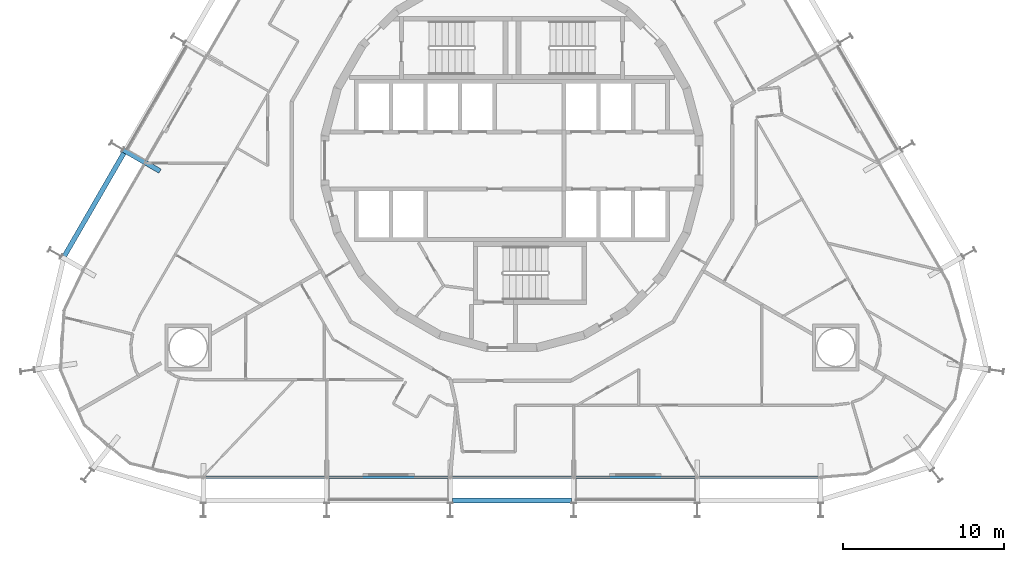
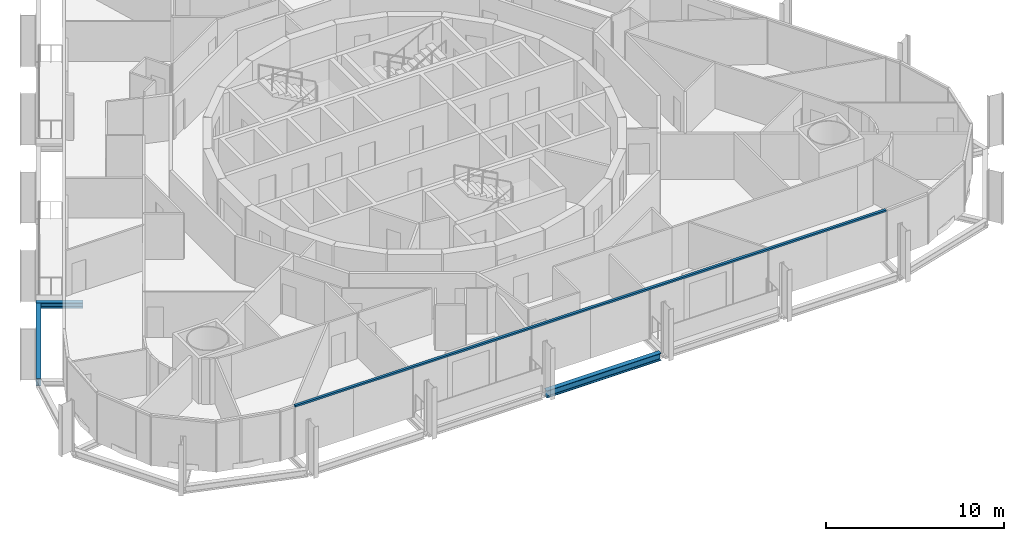
# One storey, part 4 of 20: 3 beams, 1 member, 1 element without a shape of its own.
"""IFC4 building model written with IfcOpenShell, lengths in metres."""

from ifc_helpers import new_model, si_unit, direction, frame, origin, origin_2d, place, context, subcontext, project, spatial, rectangle, i_section, extrude, material, layer, layer_set, material_profile, profile_set, type_object, element, aggregate, save


model = new_model("IFC4")

# Units and contexts
model_context = context("Model", 3, precision=1e-05, world=origin(), true_north=direction((0.0, 1.0)))
body_context = subcontext(model_context, "Body", "Model", "MODEL_VIEW")
ifc_project = project(units=[si_unit("LENGTHUNIT", "METRE"), si_unit("AREAUNIT", "SQUARE_METRE"), si_unit("VOLUMEUNIT", "CUBIC_METRE"), si_unit("PLANEANGLEUNIT", "RADIAN"), si_unit("MASSUNIT", "GRAM", prefix="KILO")], contexts=[model_context])

# Site, building, storey
site_placement = place(None, origin())
site = spatial("IfcSite", under=ifc_project, at=site_placement, CompositionType="ELEMENT")
building_placement = place(site_placement, origin())
building = spatial("IfcBuilding", under=site, at=building_placement, Name="Spindle Arch Residences", CompositionType="ELEMENT")
storey_placement = place(building_placement, frame((0.0, 0.0, 59.39990234375)))
storey = spatial("IfcBuildingStorey", under=building, at=storey_placement, Name="L13", CompositionType="ELEMENT", Elevation=59.39990234375)

# Curtain wall, member
ifc_material_1 = material(Name="Aluminium bronze unitised frame with tinted glass", Category="aluminium")
ifc_layer = layer(ifc_material_1, 0.159912109375)
ifc_layer_set = layer_set([ifc_layer], Name="CW-C typical residential unitised wall")
curtain_wall_type = type_object("IfcCurtainWallType", Name="CW-C typical residential unitised wall", PredefinedType="NOTDEFINED", material=ifc_layer_set)
curtain_wall_placement = place(storey_placement, origin())
curtain_wall = element("IfcCurtainWall", 1, at=curtain_wall_placement, inside=storey, type_object=curtain_wall_type, Name="CW-C L13 run 6", PredefinedType="NOTDEFINED")
ifc_material_2 = material(Name="Aluminium bronze anodised transom", Category="aluminium")
ifc_material_profile_1 = material_profile(ifc_material_2, rectangle(XDim=0.159912109375, YDim=0.1201171875, at=origin_2d()), Name="TR 120x160")
ifc_profile_set_1 = profile_set([ifc_material_profile_1], Name="Aluminium bronze anodised transom")
member_type = type_object("IfcMemberType", Name="Bronze transom 120x160", PredefinedType="USERDEFINED", material=ifc_profile_set_1)
member_placement = place(storey_placement, frame((-19.170166015625, -19.7099609375, 3.06005859375), z_axis=(1.0, 0.0, 0.0), x_axis=(0.0, 1.0, 0.0)))
member = element("IfcMember", 2, at=member_placement, type_object=member_type, Name="CW-C transom 00", ObjectType="TRANSOM", PredefinedType="USERDEFINED", context=body_context, shape_type="SweptSolid", body=[
    extrude(rectangle(XDim=0.159912109375, YDim=0.1201171875, at=origin_2d()), origin(), (0.0, 0.0, 1.0), 38.34033203125),
])
aggregate(curtain_wall, [member])

# Beams
ifc_material_3 = material(Name="Steel S460ML, intumescent coating R 120", Category="steel")
ifc_material_profile_2 = material_profile(ifc_material_3, i_section(OverallWidth=0.300048828125, OverallDepth=0.5, WebThickness=0.014404296875, FlangeThickness=0.028076171875, FilletRadius=0.027099609375, at=origin_2d()), Name="HEB 500")
ifc_profile_set_2 = profile_set([ifc_material_profile_2], Name="Steel S460ML, intumescent coating R 120")
beam_type_1 = type_object("IfcBeamType", Name="Exoskeleton edge beam HEB 500", PredefinedType="BEAM", material=ifc_profile_set_2)
beam_1_placement = place(storey_placement, frame((-24.13525390625, 0.482177734375, -0.6298828125), z_axis=(-0.49998923004, -0.866031621735, 0.0), x_axis=(0.866031621735, -0.49998923004, 0.0)))
element("IfcBeam", 3, at=beam_1_placement, inside=storey, type_object=beam_type_1, Name="Exoskeleton edge beam 18", PredefinedType="BEAM", context=body_context, shape_type="SweptSolid", body=[
    extrude(i_section(OverallWidth=0.300048828125, OverallDepth=0.5, WebThickness=0.014404296875, FlangeThickness=0.028076171875, FilletRadius=0.027099609375, at=origin_2d()), origin(), (0.0, 0.0, 1.0), 7.420166015625),
])
beam_2_placement = place(storey_placement, frame((-3.7099609375, -21.142822265625, -0.6298828125), z_axis=(1.0, 0.0, 0.0), x_axis=(0.0, 1.0, 0.0)))
element("IfcBeam", 4, at=beam_2_placement, inside=storey, type_object=beam_type_1, Name="Exoskeleton edge beam 24", PredefinedType="BEAM", context=body_context, shape_type="SweptSolid", body=[
    extrude(i_section(OverallWidth=0.300048828125, OverallDepth=0.5, WebThickness=0.014404296875, FlangeThickness=0.028076171875, FilletRadius=0.027099609375, at=origin_2d()), origin(), (0.0, 0.0, 1.0), 7.419921875),
])
ifc_material_4 = material(Name="Steel S460ML, intumescent coating R 120", Category="steel")
ifc_material_profile_3 = material_profile(ifc_material_4, i_section(OverallWidth=0.300048828125, OverallDepth=0.389892578125, WebThickness=0.010986328125, FlangeThickness=0.01904296875, FilletRadius=0.027099609375, at=origin_2d()), Name="HEA 400")
ifc_profile_set_3 = profile_set([ifc_material_profile_3], Name="Steel S460ML, intumescent coating R 120")
beam_type_2 = type_object("IfcBeamType", Name="Floor outrigger HEA 400", PredefinedType="BEAM", material=ifc_profile_set_3)
beam_3_placement = place(storey_placement, frame((-24.18896484375, 0.6630859375, -0.574951171875), z_axis=(0.866029095148, -0.499993606316, 0.0), x_axis=(0.499993606316, 0.866029095148, 0.0)))
element("IfcBeam", 5, at=beam_3_placement, inside=storey, type_object=beam_type_2, Name="Floor outrigger 18", PredefinedType="BEAM", context=body_context, shape_type="SweptSolid", body=[
    extrude(i_section(OverallWidth=0.300048828125, OverallDepth=0.389892578125, WebThickness=0.010986328125, FlangeThickness=0.01904296875, FilletRadius=0.027099609375, at=origin_2d()), origin(), (0.0, 0.0, 1.0), 2.64990234375),
])

save(model, "model.ifc")
